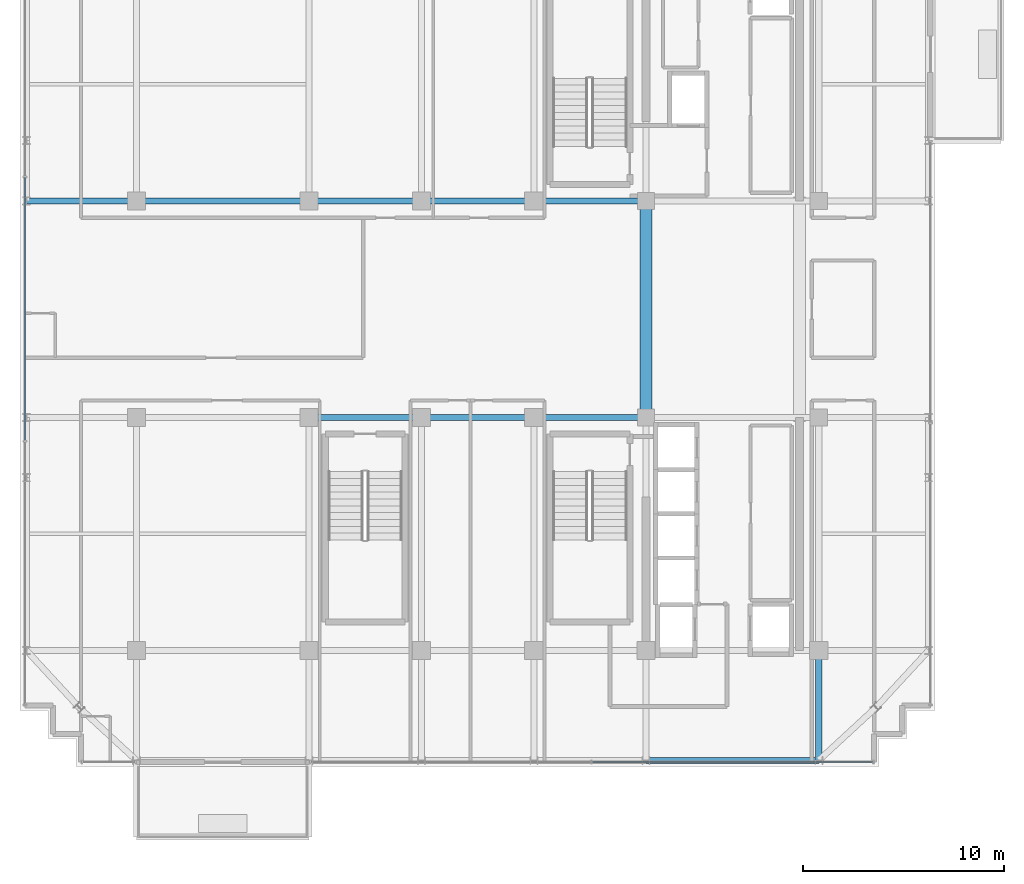
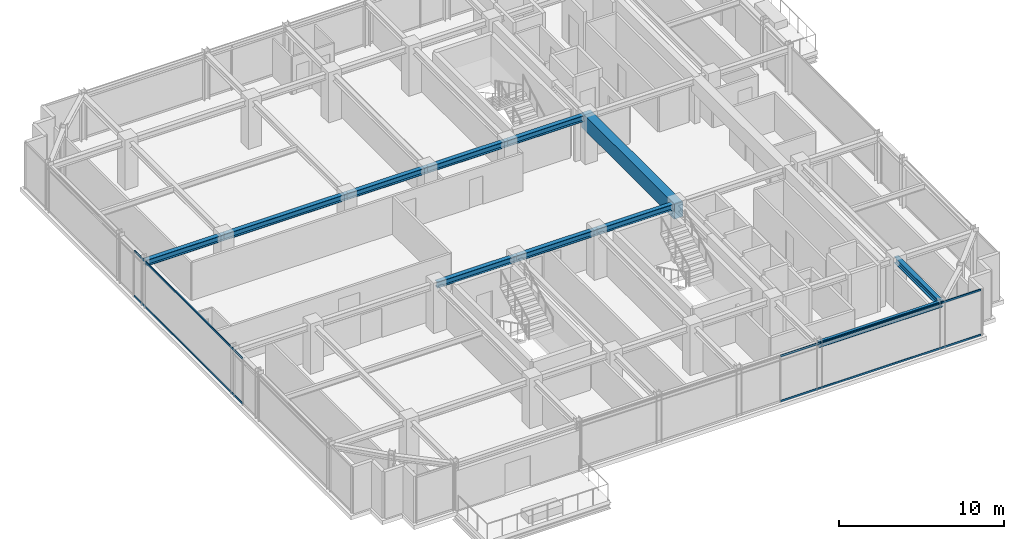
# One storey, part 10 of 32: 11 beams, 4 members, 2 elements without a shape of their own.
"""IFC4 building model written with IfcOpenShell, lengths in metres."""

from ifc_helpers import new_model, si_unit, direction, frame, origin, origin_2d, place, context, subcontext, project, spatial, rectangle, hollow_rectangle, i_section, extrude, source, transform, mapped, material, material_profile, profile_set, type_object, element, aggregate, save


model = new_model("IFC4")

# Units and contexts
model_context = context("Model", 3, precision=1e-05, world=origin(), true_north=direction((0.0, 1.0)))
body_context = subcontext(model_context, "Body", "Model", "MODEL_VIEW")
ifc_project = project(units=[si_unit("LENGTHUNIT", "METRE"), si_unit("AREAUNIT", "SQUARE_METRE"), si_unit("VOLUMEUNIT", "CUBIC_METRE"), si_unit("PLANEANGLEUNIT", "RADIAN"), si_unit("MASSUNIT", "GRAM", prefix="KILO")], contexts=[model_context])

# Site, building, storey
site_placement = place(None, origin())
site = spatial("IfcSite", under=ifc_project, at=site_placement, CompositionType="ELEMENT")
building_placement = place(site_placement, origin())
building = spatial("IfcBuilding", under=site, at=building_placement, Name="Nahalor Promenade Grand Hotel", CompositionType="ELEMENT")
storey_placement = place(building_placement, frame((0.0, 0.0, 285.050048828125)))
storey = spatial("IfcBuildingStorey", under=building, at=storey_placement, Name="L73", CompositionType="ELEMENT", Elevation=285.050048828125)

# Beams
ifc_material_1 = material(Name="Concrete B-60 (C50/60)", Category="concrete")
ifc_material_profile_1 = material_profile(ifc_material_1, rectangle(XDim=0.6, YDim=1.1, at=origin_2d()), Name="RC 600x1100")
ifc_profile_set_1 = profile_set([ifc_material_profile_1], Name="Concrete B-60 (C50/60)")
beam_type_1 = type_object("IfcBeamType", Name="Beam-Lintel-RC1100", PredefinedType="LINTEL", material=ifc_profile_set_1)
shared_shape_1 = source(origin(), body_context, "Body", "SweptSolid", [
    extrude(rectangle(XDim=0.6, YDim=1.1, at=origin_2d()), origin(), (0.0, 0.0, 1.0), 11.2001953125),
])
beam_1_placement = place(storey_placement, frame((8.39990234375, -5.60009765625, 2.89990234375), z_axis=(0.0, 1.0, 0.0), x_axis=(-1.0, 0.0, 0.0)))
element("IfcBeam", 1, at=beam_1_placement, inside=storey, type_object=beam_type_1, Name="BM-L73-LINT-W", PredefinedType="LINTEL", context=body_context, shape_type="MappedRepresentation", body=[
    mapped(shared_shape_1, transform((0.0, 0.0, 0.0), scale=1.0)),
])
ifc_material_2 = material(Name="Steel S355JR", Category="steel")
ifc_material_profile_2 = material_profile(ifc_material_2, i_section(OverallWidth=0.3, OverallDepth=0.45, WebThickness=0.014, FlangeThickness=0.026, at=origin_2d()), Name="HEB 450")
ifc_profile_set_2 = profile_set([ifc_material_profile_2], Name="Steel S355JR")
beam_type_2 = type_object("IfcBeamType", Name="Beam-Girder-HEB450", PredefinedType="BEAM", material=ifc_profile_set_2)
shared_shape_2 = source(origin(), body_context, "Body", "SweptSolid", [
    extrude(i_section(OverallWidth=0.3, OverallDepth=0.45, WebThickness=0.014, FlangeThickness=0.026, at=origin_2d()), origin(), (0.0, 0.0, 1.0), 8.60009765625),
])
beam_2_placement = place(storey_placement, frame((-17.0, 5.39990234375, 3.224853515625), z_axis=(1.0, 0.0, 0.0), x_axis=(0.0, 1.0, 0.0)))
element("IfcBeam", 2, at=beam_2_placement, inside=storey, type_object=beam_type_2, Name="BM-L73-GX-2-1", PredefinedType="BEAM", context=body_context, shape_type="MappedRepresentation", body=[
    mapped(shared_shape_2, transform((0.0, 0.0, 0.0), scale=1.0)),
])
shared_shape_3 = source(origin(), body_context, "Body", "SweptSolid", [
    extrude(i_section(OverallWidth=0.3, OverallDepth=0.45, WebThickness=0.014, FlangeThickness=0.026, at=origin_2d()), origin(), (0.0, 0.0, 1.0), 5.599853515625),
])
for number, where, z_axis, x_axis, name in (
    (3, (-8.39990234375, -5.39990234375, 3.224853515625), (1.0, 0.0, 0.0), (0.0, 1.0, 0.0), "BM-L73-GX-1-2"),
    (4, (2.800048828125, -5.39990234375, 3.224853515625), (1.0, 0.0, 0.0), (0.0, 1.0, 0.0), "BM-L73-GX-1-4"),
    (5, (-8.39990234375, 5.39990234375, 3.224853515625), (1.0, 0.0, 0.0), (0.0, 1.0, 0.0), "BM-L73-GX-2-2"),
    (6, (2.800048828125, 5.39990234375, 3.224853515625), (1.0, 0.0, 0.0), (0.0, 1.0, 0.0), "BM-L73-GX-2-4"),
):
    element("IfcBeam", number, at=place(storey_placement, frame(where, z_axis=z_axis, x_axis=x_axis)), inside=storey, type_object=beam_type_2, Name=name, PredefinedType="BEAM", context=body_context, shape_type="MappedRepresentation", body=[
        mapped(shared_shape_3, transform((0.0, 0.0, 0.0), scale=1.0)),
    ])
shared_shape_4 = source(origin(), body_context, "Body", "SweptSolid", [
    extrude(i_section(OverallWidth=0.3, OverallDepth=0.45, WebThickness=0.014, FlangeThickness=0.026, at=origin_2d()), origin(), (0.0, 0.0, 1.0), 5.60009765625),
])
for number, where, z_axis, x_axis, name in (
    (7, (-2.800048828125, -5.39990234375, 3.224853515625), (1.0, 0.0, 0.0), (0.0, 1.0, 0.0), "BM-L73-GX-1-3"),
    (8, (-2.800048828125, 5.39990234375, 3.224853515625), (1.0, 0.0, 0.0), (0.0, 1.0, 0.0), "BM-L73-GX-2-3"),
):
    element("IfcBeam", number, at=place(storey_placement, frame(where, z_axis=z_axis, x_axis=x_axis)), inside=storey, type_object=beam_type_2, Name=name, PredefinedType="BEAM", context=body_context, shape_type="MappedRepresentation", body=[
        mapped(shared_shape_4, transform((0.0, 0.0, 0.0), scale=1.0)),
    ])
shared_shape_5 = source(origin(), body_context, "Body", "SweptSolid", [
    extrude(i_section(OverallWidth=0.3, OverallDepth=0.45, WebThickness=0.014, FlangeThickness=0.026, at=origin_2d()), origin(), (0.0, 0.0, 1.0), 5.47998046875),
])
for number, where, z_axis, x_axis, name in (
    (9, (-22.47998046875, 5.39990234375, 3.224853515625), (1.0, 0.0, 0.0), (0.0, 1.0, 0.0), "BM-L73-GX-2-0"),
    (10, (17.0, -22.47998046875, 3.224853515625), (0.0, 1.0, 0.0), (-1.0, 0.0, 0.0), "BM-L73-GY-5-0"),
):
    element("IfcBeam", number, at=place(storey_placement, frame(where, z_axis=z_axis, x_axis=x_axis)), inside=storey, type_object=beam_type_2, Name=name, PredefinedType="BEAM", context=body_context, shape_type="MappedRepresentation", body=[
        mapped(shared_shape_5, transform((0.0, 0.0, 0.0), scale=1.0)),
    ])
ifc_material_profile_3 = material_profile(ifc_material_2, i_section(OverallWidth=0.3, OverallDepth=0.36, WebThickness=0.0125, FlangeThickness=0.0225, at=origin_2d()), Name="HEB 360")
ifc_profile_set_3 = profile_set([ifc_material_profile_3], Name="Steel S355JR")
beam_type_3 = type_object("IfcBeamType", Name="Beam-Spandrel-HEB360", PredefinedType="SPANDREL", material=ifc_profile_set_3)
shared_shape_6 = source(origin(), body_context, "Body", "SweptSolid", [
    extrude(i_section(OverallWidth=0.3, OverallDepth=0.36, WebThickness=0.0125, FlangeThickness=0.0225, at=origin_2d()), origin(), (0.0, 0.0, 1.0), 8.60009765625),
])
beam_3_placement = place(storey_placement, frame((8.39990234375, -22.47998046875, 3.27001953125), z_axis=(1.0, 0.0, 0.0), x_axis=(0.0, 1.0, 0.0)))
element("IfcBeam", 11, at=beam_3_placement, inside=storey, type_object=beam_type_3, Name="BM-L73-SP-S-4", PredefinedType="SPANDREL", context=body_context, shape_type="MappedRepresentation", body=[
    mapped(shared_shape_6, transform((0.0, 0.0, 0.0), scale=1.0)),
])

# Curtain wall, members
ifc_material_3 = material(Name="Anodised Bronze Aluminium EN AW-6063 T6", Category="aluminium")
curtain_wall_type = type_object("IfcCurtainWallType", Name="CW2 Typical Hotel Flush Bronze Unitised Curtain Wall", PredefinedType="USERDEFINED", material=ifc_material_3)
curtain_wall_1_placement = place(storey_placement, origin())
curtain_wall_1 = element("IfcCurtainWall", 12, at=curtain_wall_1_placement, inside=storey, type_object=curtain_wall_type, Name="L73 Curtain Wall CW-L73-S-3", ObjectType="UNITISED_CURTAIN_WALL", PredefinedType="USERDEFINED")
ifc_material_profile_4 = material_profile(ifc_material_3, hollow_rectangle(XDim=0.065, YDim=0.13, WallThickness=0.004, at=origin_2d()), Name="CWT 65x130x4")
ifc_profile_set_4 = profile_set([ifc_material_profile_4], Name="Anodised Bronze Aluminium EN AW-6063 T6")
member_type = type_object("IfcMemberType", Name="CWT2 Typical Bronze Transom 65x130", PredefinedType="USERDEFINED", material=ifc_profile_set_4)
shared_shape_7 = source(origin(), body_context, "Body", "SweptSolid", [
    extrude(hollow_rectangle(XDim=0.065, YDim=0.13, WallThickness=0.004, at=origin_2d()), origin(), (0.0, 0.0, 1.0), 13.982666015625),
])
member_1_placement = place(storey_placement, frame((5.71240234375, -22.56005859375, 0.06494140625), z_axis=(1.0, 0.0, 0.0), x_axis=(0.0, 1.0, 0.0)))
member_1 = element("IfcMember", 13, at=member_1_placement, type_object=member_type, Name="CW-L73-S-3 Transom 1-0", ObjectType="TRANSOM", PredefinedType="USERDEFINED", context=body_context, shape_type="MappedRepresentation", body=[
    mapped(shared_shape_7, transform((0.0, 0.0, 0.0), scale=1.0)),
])
member_2_placement = place(storey_placement, frame((5.71240234375, -22.56005859375, 3.385009765625), z_axis=(1.0, 0.0, 0.0), x_axis=(0.0, 1.0, 0.0)))
member_2 = element("IfcMember", 14, at=member_2_placement, type_object=member_type, Name="CW-L73-S-3 Transom 1-1", ObjectType="TRANSOM", PredefinedType="USERDEFINED", context=body_context, shape_type="MappedRepresentation", body=[
    mapped(shared_shape_7, transform((0.0, 0.0, 0.0), scale=1.0)),
])
aggregate(curtain_wall_1, [member_1, member_2])

curtain_wall_2_placement = place(storey_placement, origin())
curtain_wall_2 = element("IfcCurtainWall", 15, at=curtain_wall_2_placement, inside=storey, type_object=curtain_wall_type, Name="L73 Curtain Wall CW-L73-W-1", ObjectType="UNITISED_CURTAIN_WALL", PredefinedType="USERDEFINED")
shared_shape_8 = source(origin(), body_context, "Body", "SweptSolid", [
    extrude(hollow_rectangle(XDim=0.065, YDim=0.13, WallThickness=0.004, at=origin_2d()), origin(), (0.0, 0.0, 1.0), 13.1083984375),
])
member_3_placement = place(storey_placement, frame((-22.56005859375, -6.55419921875, 0.06494140625), z_axis=(0.0, 1.0, 0.0), x_axis=(-1.0, 0.0, 0.0)))
member_3 = element("IfcMember", 16, at=member_3_placement, type_object=member_type, Name="CW-L73-W-1 Transom 1-0", ObjectType="TRANSOM", PredefinedType="USERDEFINED", context=body_context, shape_type="MappedRepresentation", body=[
    mapped(shared_shape_8, transform((0.0, 0.0, 0.0), scale=1.0)),
])
member_4_placement = place(storey_placement, frame((-22.56005859375, -6.55419921875, 3.385009765625), z_axis=(0.0, 1.0, 0.0), x_axis=(-1.0, 0.0, 0.0)))
member_4 = element("IfcMember", 17, at=member_4_placement, type_object=member_type, Name="CW-L73-W-1 Transom 1-1", ObjectType="TRANSOM", PredefinedType="USERDEFINED", context=body_context, shape_type="MappedRepresentation", body=[
    mapped(shared_shape_8, transform((0.0, 0.0, 0.0), scale=1.0)),
])
aggregate(curtain_wall_2, [member_3, member_4])

save(model, "model.ifc")
